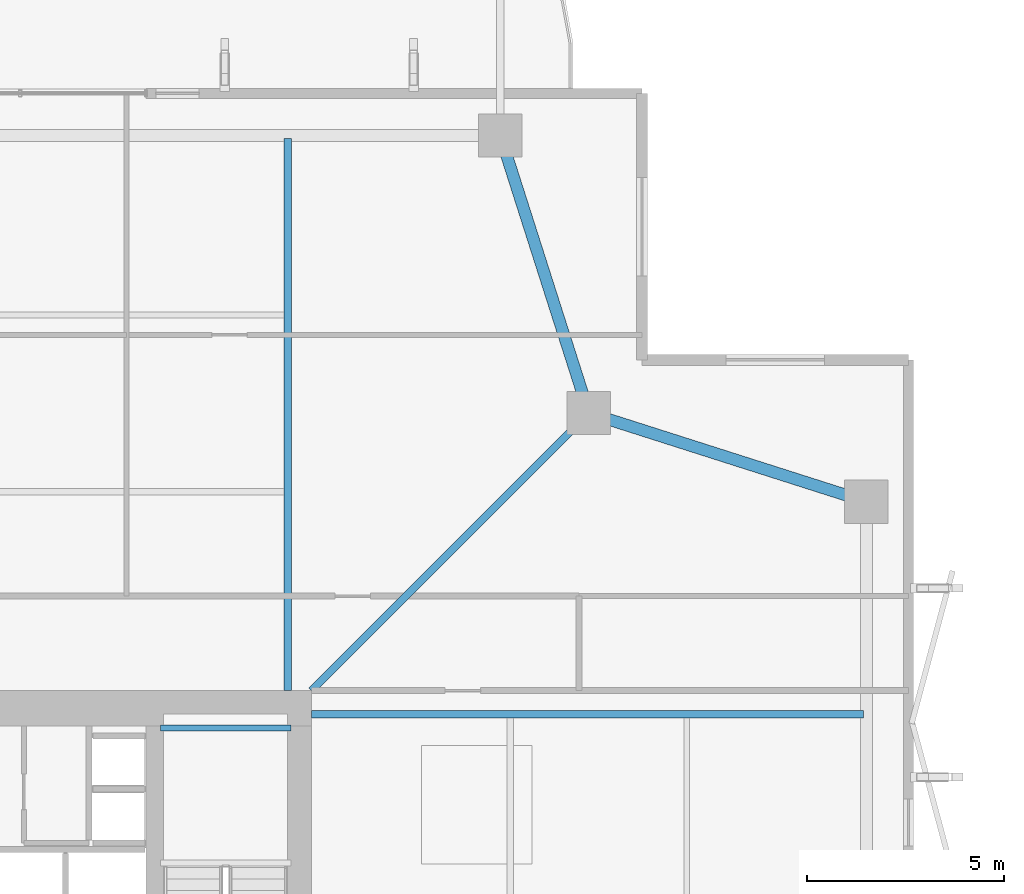
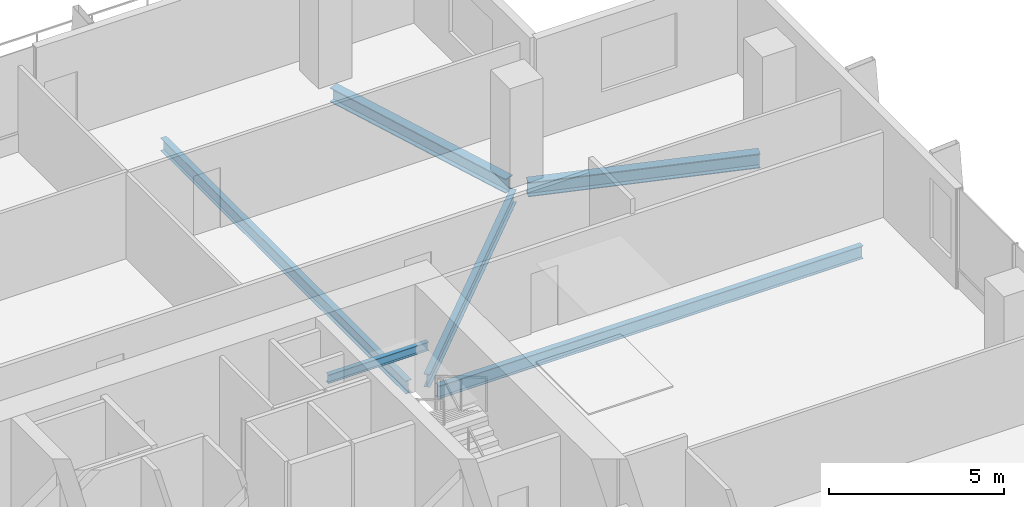
# One storey, part 15 of 25: 6 beams.
"""IFC4 building model written with IfcOpenShell, lengths in metres."""

from ifc_helpers import new_model, si_unit, direction, frame, origin, origin_2d, place, context, subcontext, project, spatial, i_section, extrude, material, material_profile, profile_set, type_object, element, save


model = new_model("IFC4")

# Units and contexts
model_context = context("Model", 3, precision=1e-05, world=origin(), true_north=direction((0.0, 1.0)))
body_context = subcontext(model_context, "Body", "Model", "MODEL_VIEW")
ifc_project = project(units=[si_unit("LENGTHUNIT", "METRE"), si_unit("AREAUNIT", "SQUARE_METRE"), si_unit("VOLUMEUNIT", "CUBIC_METRE"), si_unit("PLANEANGLEUNIT", "RADIAN"), si_unit("MASSUNIT", "GRAM", prefix="KILO")], contexts=[model_context])

# Site, building, storey
site_placement = place(None, origin())
site = spatial("IfcSite", under=ifc_project, at=site_placement, CompositionType="ELEMENT")
building_placement = place(site_placement, origin())
building = spatial("IfcBuilding", under=site, at=building_placement, Name="Belovzor Exchange Tower", CompositionType="ELEMENT")
storey_placement = place(building_placement, frame((0.0, 0.0, 183.300048828125)))
storey = spatial("IfcBuildingStorey", under=building, at=storey_placement, Name="L45", CompositionType="ELEMENT", Elevation=183.300048828125)

# Beams
ifc_material_1 = material(Name="Steel S355", Category="steel")
ifc_material_profile_1 = material_profile(ifc_material_1, i_section(OverallWidth=0.14990234375, OverallDepth=0.300048828125, WebThickness=0.007080078125, FlangeThickness=0.0107421875, at=origin_2d()))
ifc_profile_set_1 = profile_set([ifc_material_profile_1], Name="Steel S355")
beam_type_1 = type_object("IfcBeamType", Name="Secondary Trim Floor Joist IPE 300", PredefinedType="BEAM", material=ifc_profile_set_1)
beam_1_placement = place(storey_placement, frame((37.280029296875, 36.85009765625, 1.52490234375), z_axis=(-1.0, 0.0, 0.0), x_axis=(0.0, -1.0, 0.0)))
element("IfcBeam", 1, at=beam_1_placement, inside=storey, type_object=beam_type_1, Name="FJ-300 Secondary Trim Floor Joist IPE 300", PredefinedType="BEAM", context=body_context, shape_type="SweptSolid", body=[
    extrude(i_section(OverallWidth=0.14990234375, OverallDepth=0.300048828125, WebThickness=0.007080078125, FlangeThickness=0.0107421875, at=origin_2d()), origin(), (0.0, 0.0, 1.0), 3.31005859375),
])
ifc_material_2 = material(Name="Steel S355", Category="steel")
ifc_material_profile_2 = material_profile(ifc_material_2, i_section(OverallWidth=0.18994140625, OverallDepth=0.449951171875, WebThickness=0.009521484375, FlangeThickness=0.0146484375, at=origin_2d()))
ifc_profile_set_2 = profile_set([ifc_material_profile_2], Name="Steel S355")
beam_type_2 = type_object("IfcBeamType", Name="Zone 2-4 Radial Composite Floor Beam IPE 450", PredefinedType="BEAM", material=ifc_profile_set_2)
for number, where, z_axis, x_axis, name in (
    (2, (37.199951171875, 37.800048828125, -0.47998046875), (0.0, 1.0, 0.0), (-1.0, 0.0, 0.0), "FB-450 Zone 2-4 Radial Composite Floor Beam IPE 450"),
    (3, (37.800048828125, 37.199951171875, -0.47998046875), (1.0, 0.0, 0.0), (0.0, 1.0, 0.0), "FB-450 Zone 2-4 Radial Composite Floor Beam IPE 450"),
):
    element("IfcBeam", number, at=place(storey_placement, frame(where, z_axis=z_axis, x_axis=x_axis)), inside=storey, type_object=beam_type_2, Name=name, PredefinedType="BEAM", context=body_context, shape_type="SweptSolid", body=[
        extrude(i_section(OverallWidth=0.18994140625, OverallDepth=0.449951171875, WebThickness=0.009521484375, FlangeThickness=0.0146484375, at=origin_2d()), origin(), (0.0, 0.0, 1.0), 14.02490234375),
    ])
beam_2_placement = place(storey_placement, frame((37.800048828125, 37.800048828125, -0.47998046875), z_axis=(0.707106781187, 0.707106781187, 0.0), x_axis=(-0.707106781187, 0.707106781187, 0.0)))
element("IfcBeam", 4, at=beam_2_placement, inside=storey, type_object=beam_type_2, Name="FB-450 Zone 2-4 Radial Composite Floor Beam IPE 450", PredefinedType="BEAM", context=body_context, shape_type="SweptSolid", body=[
    extrude(i_section(OverallWidth=0.18994140625, OverallDepth=0.449951171875, WebThickness=0.009521484375, FlangeThickness=0.0146484375, at=origin_2d()), origin(), (0.0, 0.0, 1.0), 9.5810546875),
])
ifc_material_3 = material(Name="Steel S355", Category="steel")
ifc_material_profile_3 = material_profile(ifc_material_3, i_section(OverallWidth=0.300048828125, OverallDepth=0.5, WebThickness=0.014404296875, FlangeThickness=0.028076171875, at=origin_2d()))
ifc_profile_set_3 = profile_set([ifc_material_profile_3], Name="Steel S355")
beam_type_3 = type_object("IfcBeamType", Name="Zone 3 Waist Primary Girder HEB 500", PredefinedType="BEAM", material=ifc_profile_set_3)
for number, where, z_axis, x_axis, name in (
    (5, (51.612060546875, 42.69189453125, -0.505126953125), (-0.952661203756, 0.304033930439, 0.0), (-0.304033930439, -0.952661203756, 0.0), "FG-Z3 Zone 3 Waist Primary Girder HEB 500"),
    (6, (44.758056640625, 45.137939453125, -0.505126953125), (-0.304033930439, 0.952661203756, 0.0), (-0.952661203756, -0.304033930439, 0.0), "FG-Z3 Zone 3 Waist Primary Girder HEB 500"),
):
    element("IfcBeam", number, at=place(storey_placement, frame(where, z_axis=z_axis, x_axis=x_axis)), inside=storey, type_object=beam_type_3, Name=name, PredefinedType="BEAM", context=body_context, shape_type="SweptSolid", body=[
        extrude(i_section(OverallWidth=0.300048828125, OverallDepth=0.5, WebThickness=0.014404296875, FlangeThickness=0.028076171875, at=origin_2d()), origin(), (0.0, 0.0, 1.0), 6.7958984375),
    ])

save(model, "model.ifc")
